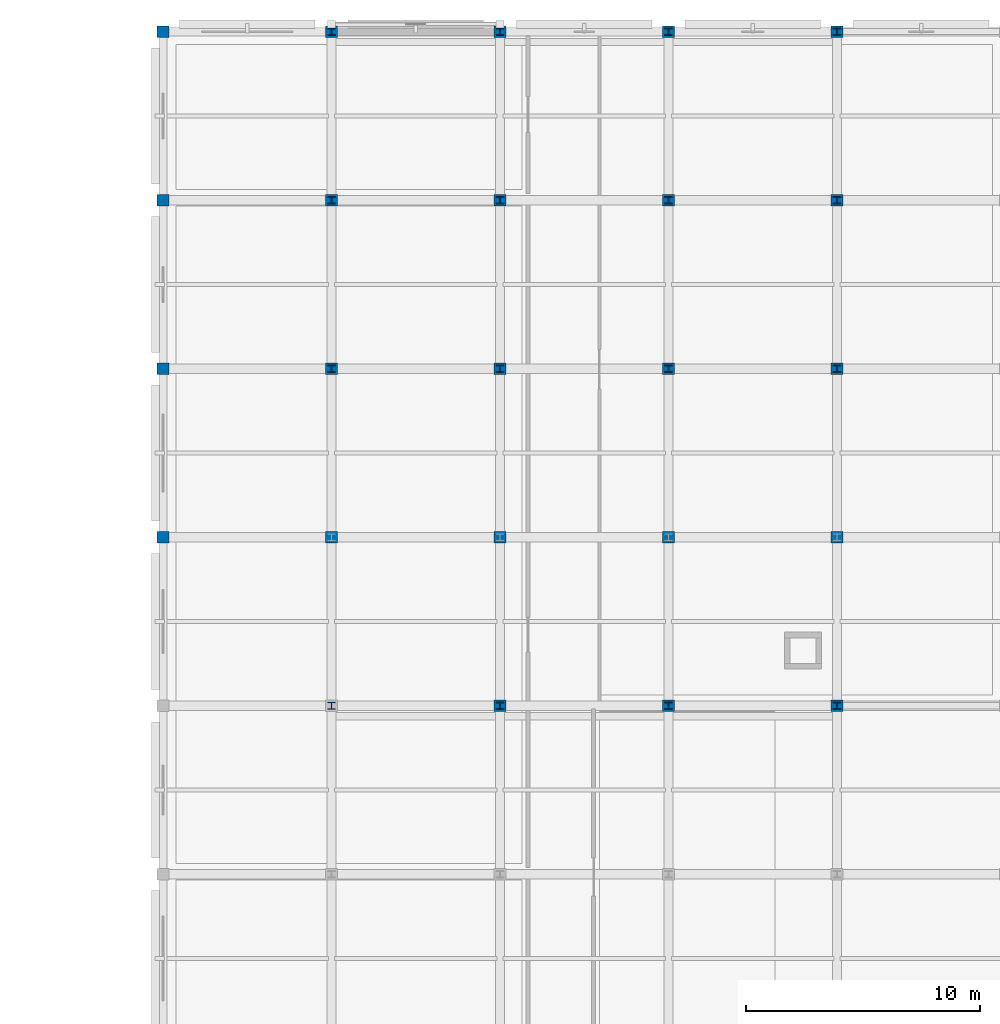
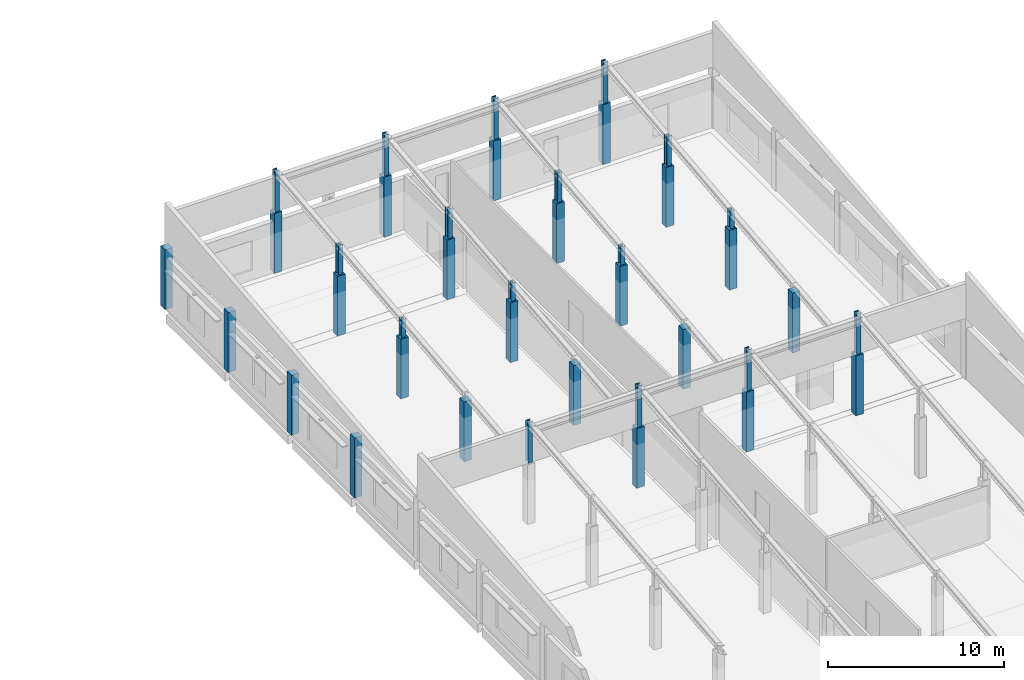
# One storey, part 4 of 33: 39 columns.
"""IFC4 building model written with IfcOpenShell, lengths in metres."""

from ifc_helpers import new_model, si_unit, direction, frame, origin, origin_2d, place, context, subcontext, project, spatial, rectangle, i_section, extrude, material, material_profile, profile_set, type_object, element, save


model = new_model("IFC4")

# Units and contexts
model_context = context("Model", 3, precision=1e-05, world=origin(), true_north=direction((0.0, 1.0)))
body_context = subcontext(model_context, "Body", "Model", "MODEL_VIEW")
ifc_project = project(units=[si_unit("LENGTHUNIT", "METRE"), si_unit("AREAUNIT", "SQUARE_METRE"), si_unit("VOLUMEUNIT", "CUBIC_METRE"), si_unit("PLANEANGLEUNIT", "RADIAN"), si_unit("MASSUNIT", "GRAM", prefix="KILO")], contexts=[model_context])

# Site, building, storey
site_placement = place(None, origin())
site = spatial("IfcSite", under=ifc_project, at=site_placement, CompositionType="ELEMENT")
building_placement = place(site_placement, origin())
building = spatial("IfcBuilding", under=site, at=building_placement, Name="Valkovuoma Quantum and Materials Research Institute", CompositionType="ELEMENT")
storey_placement = place(building_placement, frame((0.0, 0.0, 25.60009765625)))
storey = spatial("IfcBuildingStorey", under=building, at=storey_placement, Name="L06", CompositionType="ELEMENT", Elevation=25.60009765625)

# Columns
ifc_material_1 = material(Name="Concrete C40/50", Category="concrete")
ifc_material_profile_1 = material_profile(ifc_material_1, rectangle(XDim=0.5, YDim=0.5, at=origin_2d()), Name="Concrete C40/50")
ifc_profile_set_1 = profile_set([ifc_material_profile_1], Name="Concrete C40/50")
column_type_1 = type_object("IfcColumnType", Name="Col-C-RC500", PredefinedType="COLUMN", material=ifc_profile_set_1)
for number, where, z_axis, x_axis, name in (
    (1, (129.60009765625, 93.60009765625, 0.0), (0.0, 0.0, 1.0), (1.0, 0.0, 0.0), "L06 column 19P"),
    (2, (129.60009765625, 100.800048828125, 0.0), (0.0, 0.0, 1.0), (1.0, 0.0, 0.0), "L06 column 19Q"),
    (3, (129.60009765625, 108.0, 0.0), (0.0, 0.0, 1.0), (1.0, 0.0, 0.0), "L06 column 19R"),
    (4, (129.60009765625, 115.199951171875, 0.0), (0.0, 0.0, 1.0), (1.0, 0.0, 0.0), "L06 column 19S"),
    (5, (136.800048828125, 93.60009765625, 0.0), (0.0, 0.0, 1.0), (1.0, 0.0, 0.0), "L06 column 20P"),
    (6, (136.800048828125, 100.800048828125, 0.0), (0.0, 0.0, 1.0), (1.0, 0.0, 0.0), "L06 column 20Q"),
    (7, (136.800048828125, 108.0, 0.0), (0.0, 0.0, 1.0), (1.0, 0.0, 0.0), "L06 column 20R"),
    (8, (136.800048828125, 115.199951171875, 0.0), (0.0, 0.0, 1.0), (1.0, 0.0, 0.0), "L06 column 20S"),
    (9, (144.0, 86.39990234375, 0.0), (0.0, 0.0, 1.0), (1.0, 0.0, 0.0), "L06 column 21N"),
    (10, (144.0, 93.60009765625, 0.0), (0.0, 0.0, 1.0), (1.0, 0.0, 0.0), "L06 column 21P"),
    (11, (144.0, 100.800048828125, 0.0), (0.0, 0.0, 1.0), (1.0, 0.0, 0.0), "L06 column 21Q"),
    (12, (144.0, 108.0, 0.0), (0.0, 0.0, 1.0), (1.0, 0.0, 0.0), "L06 column 21R"),
    (13, (144.0, 115.199951171875, 0.0), (0.0, 0.0, 1.0), (1.0, 0.0, 0.0), "L06 column 21S"),
    (14, (151.199951171875, 86.39990234375, 0.0), (0.0, 0.0, 1.0), (1.0, 0.0, 0.0), "L06 column 22N"),
    (15, (151.199951171875, 93.60009765625, 0.0), (0.0, 0.0, 1.0), (1.0, 0.0, 0.0), "L06 column 22P"),
    (16, (151.199951171875, 100.800048828125, 0.0), (0.0, 0.0, 1.0), (1.0, 0.0, 0.0), "L06 column 22Q"),
    (17, (151.199951171875, 108.0, 0.0), (0.0, 0.0, 1.0), (1.0, 0.0, 0.0), "L06 column 22R"),
    (18, (151.199951171875, 115.199951171875, 0.0), (0.0, 0.0, 1.0), (1.0, 0.0, 0.0), "L06 column 22S"),
    (19, (158.39990234375, 86.39990234375, 0.0), (0.0, 0.0, 1.0), (1.0, 0.0, 0.0), "L06 column 23N"),
    (20, (158.39990234375, 93.60009765625, 0.0), (0.0, 0.0, 1.0), (1.0, 0.0, 0.0), "L06 column 23P"),
    (21, (158.39990234375, 100.800048828125, 0.0), (0.0, 0.0, 1.0), (1.0, 0.0, 0.0), "L06 column 23Q"),
    (22, (158.39990234375, 108.0, 0.0), (0.0, 0.0, 1.0), (1.0, 0.0, 0.0), "L06 column 23R"),
    (23, (158.39990234375, 115.199951171875, 0.0), (0.0, 0.0, 1.0), (1.0, 0.0, 0.0), "L06 column 23S"),
):
    element("IfcColumn", number, at=place(storey_placement, frame(where, z_axis=z_axis, x_axis=x_axis)), inside=storey, type_object=column_type_1, Name=name, PredefinedType="COLUMN", context=body_context, shape_type="SweptSolid", body=[
        extrude(rectangle(XDim=0.5, YDim=0.5, at=origin_2d()), origin(), (0.0, 0.0, 1.0), 4.159912109375),
    ])
ifc_material_2 = material(Name="Steel S355J2", Category="steel")
ifc_material_profile_2 = material_profile(ifc_material_2, i_section(OverallWidth=0.300048828125, OverallDepth=0.300048828125, WebThickness=0.010986328125, FlangeThickness=0.01904296875, FilletRadius=0.027099609375, at=origin_2d()), Name="Steel S355J2")
ifc_profile_set_2 = profile_set([ifc_material_profile_2], Name="Steel S355J2")
column_type_2 = type_object("IfcColumnType", Name="Col-C-STL300", PredefinedType="COLUMN", material=ifc_profile_set_2)
for number, where, z_axis, x_axis, name in (
    (24, (136.800048828125, 86.39990234375, 4.159912109375), (0.0, 0.0, 1.0), (1.0, 0.0, 0.0), "L06 wet-lab roof post 1.136.8.86.4"),
    (25, (144.0, 86.39990234375, 4.159912109375), (0.0, 0.0, 1.0), (1.0, 0.0, 0.0), "L06 wet-lab roof post 1.144.0.86.4"),
    (26, (151.199951171875, 86.39990234375, 4.159912109375), (0.0, 0.0, 1.0), (1.0, 0.0, 0.0), "L06 wet-lab roof post 1.151.2.86.4"),
    (27, (158.39990234375, 86.39990234375, 4.159912109375), (0.0, 0.0, 1.0), (1.0, 0.0, 0.0), "L06 wet-lab roof post 1.158.4.86.4"),
):
    element("IfcColumn", number, at=place(storey_placement, frame(where, z_axis=z_axis, x_axis=x_axis)), inside=storey, type_object=column_type_2, Name=name, PredefinedType="COLUMN", context=body_context, shape_type="SweptSolid", body=[
        extrude(i_section(OverallWidth=0.300048828125, OverallDepth=0.300048828125, WebThickness=0.010986328125, FlangeThickness=0.01904296875, FilletRadius=0.027099609375, at=origin_2d()), origin(), (0.0, 0.0, 1.0), 2.840087890625),
    ])
column_1_placement = place(storey_placement, frame((136.800048828125, 100.800048828125, 4.159912109375), z_axis=(0.0, 0.0, 1.0), x_axis=(1.0, 0.0, 0.0)))
element("IfcColumn", 28, at=column_1_placement, inside=storey, type_object=column_type_2, Name="L06 wet-lab roof post 2.136.8.100.8", PredefinedType="COLUMN", context=body_context, shape_type="SweptSolid", body=[
    extrude(i_section(OverallWidth=0.300048828125, OverallDepth=0.300048828125, WebThickness=0.010986328125, FlangeThickness=0.01904296875, FilletRadius=0.027099609375, at=origin_2d()), origin(), (0.0, 0.0, 1.0), 1.280029296875),
])
column_2_placement = place(storey_placement, frame((136.800048828125, 108.0, 4.159912109375), z_axis=(0.0, 0.0, 1.0), x_axis=(1.0, 0.0, 0.0)))
element("IfcColumn", 29, at=column_2_placement, inside=storey, type_object=column_type_2, Name="L06 wet-lab roof post 2.136.8.108.0", PredefinedType="COLUMN", context=body_context, shape_type="SweptSolid", body=[
    extrude(i_section(OverallWidth=0.300048828125, OverallDepth=0.300048828125, WebThickness=0.010986328125, FlangeThickness=0.01904296875, FilletRadius=0.027099609375, at=origin_2d()), origin(), (0.0, 0.0, 1.0), 2.06005859375),
])
column_3_placement = place(storey_placement, frame((136.800048828125, 115.199951171875, 4.159912109375), z_axis=(0.0, 0.0, 1.0), x_axis=(1.0, 0.0, 0.0)))
element("IfcColumn", 30, at=column_3_placement, inside=storey, type_object=column_type_2, Name="L06 wet-lab roof post 2.136.8.115.2", PredefinedType="COLUMN", context=body_context, shape_type="SweptSolid", body=[
    extrude(i_section(OverallWidth=0.300048828125, OverallDepth=0.300048828125, WebThickness=0.010986328125, FlangeThickness=0.01904296875, FilletRadius=0.027099609375, at=origin_2d()), origin(), (0.0, 0.0, 1.0), 2.840087890625),
])
column_4_placement = place(storey_placement, frame((144.0, 100.800048828125, 4.159912109375), z_axis=(0.0, 0.0, 1.0), x_axis=(1.0, 0.0, 0.0)))
element("IfcColumn", 31, at=column_4_placement, inside=storey, type_object=column_type_2, Name="L06 wet-lab roof post 2.144.0.100.8", PredefinedType="COLUMN", context=body_context, shape_type="SweptSolid", body=[
    extrude(i_section(OverallWidth=0.300048828125, OverallDepth=0.300048828125, WebThickness=0.010986328125, FlangeThickness=0.01904296875, FilletRadius=0.027099609375, at=origin_2d()), origin(), (0.0, 0.0, 1.0), 1.280029296875),
])
column_5_placement = place(storey_placement, frame((144.0, 108.0, 4.159912109375), z_axis=(0.0, 0.0, 1.0), x_axis=(1.0, 0.0, 0.0)))
element("IfcColumn", 32, at=column_5_placement, inside=storey, type_object=column_type_2, Name="L06 wet-lab roof post 2.144.0.108.0", PredefinedType="COLUMN", context=body_context, shape_type="SweptSolid", body=[
    extrude(i_section(OverallWidth=0.300048828125, OverallDepth=0.300048828125, WebThickness=0.010986328125, FlangeThickness=0.01904296875, FilletRadius=0.027099609375, at=origin_2d()), origin(), (0.0, 0.0, 1.0), 2.06005859375),
])
column_6_placement = place(storey_placement, frame((144.0, 115.199951171875, 4.159912109375), z_axis=(0.0, 0.0, 1.0), x_axis=(1.0, 0.0, 0.0)))
element("IfcColumn", 33, at=column_6_placement, inside=storey, type_object=column_type_2, Name="L06 wet-lab roof post 2.144.0.115.2", PredefinedType="COLUMN", context=body_context, shape_type="SweptSolid", body=[
    extrude(i_section(OverallWidth=0.300048828125, OverallDepth=0.300048828125, WebThickness=0.010986328125, FlangeThickness=0.01904296875, FilletRadius=0.027099609375, at=origin_2d()), origin(), (0.0, 0.0, 1.0), 2.840087890625),
])
column_7_placement = place(storey_placement, frame((151.199951171875, 100.800048828125, 4.159912109375), z_axis=(0.0, 0.0, 1.0), x_axis=(1.0, 0.0, 0.0)))
element("IfcColumn", 34, at=column_7_placement, inside=storey, type_object=column_type_2, Name="L06 wet-lab roof post 2.151.2.100.8", PredefinedType="COLUMN", context=body_context, shape_type="SweptSolid", body=[
    extrude(i_section(OverallWidth=0.300048828125, OverallDepth=0.300048828125, WebThickness=0.010986328125, FlangeThickness=0.01904296875, FilletRadius=0.027099609375, at=origin_2d()), origin(), (0.0, 0.0, 1.0), 1.280029296875),
])
column_8_placement = place(storey_placement, frame((151.199951171875, 108.0, 4.159912109375), z_axis=(0.0, 0.0, 1.0), x_axis=(1.0, 0.0, 0.0)))
element("IfcColumn", 35, at=column_8_placement, inside=storey, type_object=column_type_2, Name="L06 wet-lab roof post 2.151.2.108.0", PredefinedType="COLUMN", context=body_context, shape_type="SweptSolid", body=[
    extrude(i_section(OverallWidth=0.300048828125, OverallDepth=0.300048828125, WebThickness=0.010986328125, FlangeThickness=0.01904296875, FilletRadius=0.027099609375, at=origin_2d()), origin(), (0.0, 0.0, 1.0), 2.06005859375),
])
column_9_placement = place(storey_placement, frame((151.199951171875, 115.199951171875, 4.159912109375), z_axis=(0.0, 0.0, 1.0), x_axis=(1.0, 0.0, 0.0)))
element("IfcColumn", 36, at=column_9_placement, inside=storey, type_object=column_type_2, Name="L06 wet-lab roof post 2.151.2.115.2", PredefinedType="COLUMN", context=body_context, shape_type="SweptSolid", body=[
    extrude(i_section(OverallWidth=0.300048828125, OverallDepth=0.300048828125, WebThickness=0.010986328125, FlangeThickness=0.01904296875, FilletRadius=0.027099609375, at=origin_2d()), origin(), (0.0, 0.0, 1.0), 2.840087890625),
])
column_10_placement = place(storey_placement, frame((158.39990234375, 100.800048828125, 4.159912109375), z_axis=(0.0, 0.0, 1.0), x_axis=(1.0, 0.0, 0.0)))
element("IfcColumn", 37, at=column_10_placement, inside=storey, type_object=column_type_2, Name="L06 wet-lab roof post 2.158.4.100.8", PredefinedType="COLUMN", context=body_context, shape_type="SweptSolid", body=[
    extrude(i_section(OverallWidth=0.300048828125, OverallDepth=0.300048828125, WebThickness=0.010986328125, FlangeThickness=0.01904296875, FilletRadius=0.027099609375, at=origin_2d()), origin(), (0.0, 0.0, 1.0), 1.280029296875),
])
column_11_placement = place(storey_placement, frame((158.39990234375, 108.0, 4.159912109375), z_axis=(0.0, 0.0, 1.0), x_axis=(1.0, 0.0, 0.0)))
element("IfcColumn", 38, at=column_11_placement, inside=storey, type_object=column_type_2, Name="L06 wet-lab roof post 2.158.4.108.0", PredefinedType="COLUMN", context=body_context, shape_type="SweptSolid", body=[
    extrude(i_section(OverallWidth=0.300048828125, OverallDepth=0.300048828125, WebThickness=0.010986328125, FlangeThickness=0.01904296875, FilletRadius=0.027099609375, at=origin_2d()), origin(), (0.0, 0.0, 1.0), 2.06005859375),
])
column_12_placement = place(storey_placement, frame((158.39990234375, 115.199951171875, 4.159912109375), z_axis=(0.0, 0.0, 1.0), x_axis=(1.0, 0.0, 0.0)))
element("IfcColumn", 39, at=column_12_placement, inside=storey, type_object=column_type_2, Name="L06 wet-lab roof post 2.158.4.115.2", PredefinedType="COLUMN", context=body_context, shape_type="SweptSolid", body=[
    extrude(i_section(OverallWidth=0.300048828125, OverallDepth=0.300048828125, WebThickness=0.010986328125, FlangeThickness=0.01904296875, FilletRadius=0.027099609375, at=origin_2d()), origin(), (0.0, 0.0, 1.0), 2.840087890625),
])

save(model, "model.ifc")
